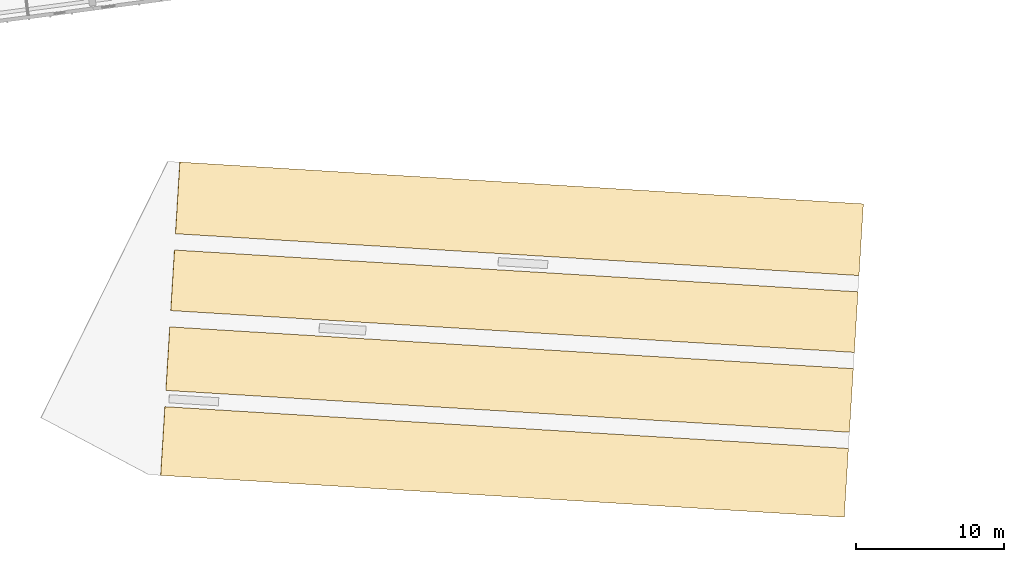
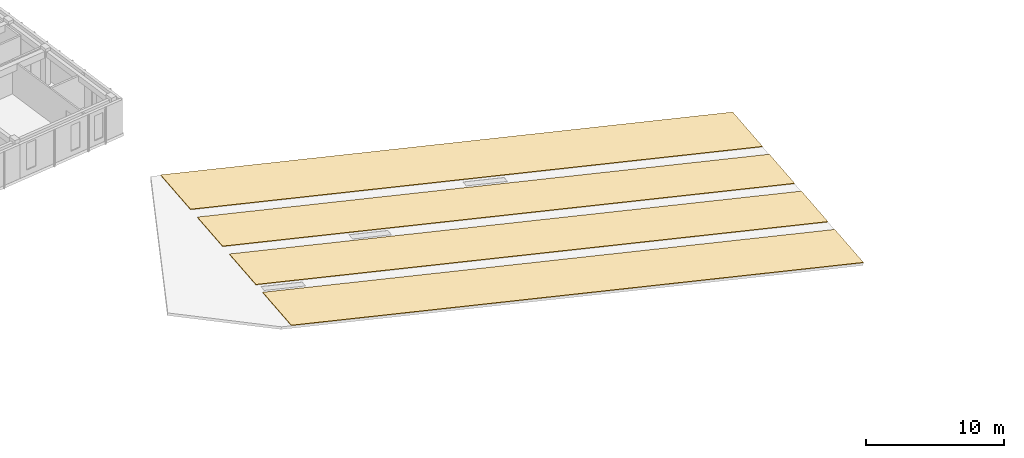
# One storey, part 28 of 34: 4 coverings.
"""IFC4 building model written with IfcOpenShell, lengths in metres."""

import ifcopenshell
import ifcopenshell.guid

model = None  # the IFC model being written
_history = None  # IfcOwnerHistory: only IFC2X3 demands one
_inside = {}  # id of a spatial element -> (the spatial element, [elements in it])
_under = {}  # id of a project, library or spatial element -> (it, [spatial elements below it])
_declared = {}  # id of a project -> (the project, [libraries it declares])
_typed = {}  # id of a type object -> (the type object, [elements of that type])
_made_of = {}  # id of a material, layer set ... -> (it, [elements and type objects made of it])


def new_model(schema):
    """Start an empty IFC model of exactly this schema.

    Asked for "IFC4X3", IfcOpenShell would pick the latest addendum, in which some entities
    have other attributes; the version numbers below select the first issue.
    IFC2X3 requires an IfcOwnerHistory on every rooted entity: one is made here for all.
    """
    global model, _history
    if schema == "IFC4X3":
        model = ifcopenshell.file(schema_version=(4, 3, 0, 0))
    else:
        model = ifcopenshell.file(schema=schema)
    _inside.clear()
    _under.clear()
    _declared.clear()
    _typed.clear()
    _made_of.clear()
    _history = None
    if model.schema == "IFC2X3":
        org = make("IfcOrganization", Name="unknown")
        user = make(
            "IfcPersonAndOrganization",
            ThePerson=make("IfcPerson", FamilyName="unknown"),
            TheOrganization=org,
        )
        app = make(
            "IfcApplication",
            ApplicationDeveloper=org,
            Version="unknown",
            ApplicationFullName="unknown",
            ApplicationIdentifier="unknown",
        )
        _history = make(
            "IfcOwnerHistory",
            OwningUser=user,
            OwningApplication=app,
            ChangeAction="ADDED",
            CreationDate=0,
        )
    return model


def make(cls, **values):
    """One entity of the class cls with the attributes given. An attribute that is None is left unset."""
    return model.create_entity(
        cls, **{name: value for name, value in values.items() if value is not None}
    )


def rooted(cls, **values):
    """An entity with a GlobalId (a new one), such as an element, a storey or a relation."""
    return make(cls, GlobalId=ifcopenshell.guid.new(), OwnerHistory=_history, **values)


def si_unit(unit_type, name, prefix=None):
    """IfcSIUnit, for example si_unit("LENGTHUNIT", "METRE", prefix="MILLI")."""
    return make("IfcSIUnit", UnitType=unit_type, Prefix=prefix, Name=name)


def assignment(units):
    """IfcUnitAssignment: the units of a project."""
    return None if units is None else make("IfcUnitAssignment", Units=units)


def point(xyz):
    """IfcCartesianPoint."""
    return None if xyz is None else make("IfcCartesianPoint", Coordinates=xyz)


def direction(xyz):
    """IfcDirection."""
    return None if xyz is None else make("IfcDirection", DirectionRatios=xyz)


def frame(location, z_axis=None, x_axis=None):
    """IfcAxis2Placement3D, a coordinate frame: its origin and axes. An axis left out is left unset."""
    return make(
        "IfcAxis2Placement3D",
        Location=point(location),
        Axis=direction(z_axis),
        RefDirection=direction(x_axis),
    )


def origin():
    """The frame at (0, 0, 0) with its axes left unset."""
    return frame((0.0, 0.0, 0.0))


def place(relative_to, where):
    """IfcLocalPlacement: puts the frame where relative to a parent placement (None: the world)."""
    return make(
        "IfcLocalPlacement", PlacementRelTo=relative_to, RelativePlacement=where
    )


def context(
    kind, dimensions, precision=None, world=None, true_north=None, identifier=None
):
    """IfcGeometricRepresentationContext, for example the 3D "Model" context."""
    return make(
        "IfcGeometricRepresentationContext",
        ContextIdentifier=identifier,
        ContextType=kind,
        CoordinateSpaceDimension=dimensions,
        Precision=precision,
        WorldCoordinateSystem=world,
        TrueNorth=true_north,
    )


def subcontext(parent, identifier, kind, view, scale=None):
    """IfcGeometricRepresentationSubContext, for example "Body" below "Model"."""
    return make(
        "IfcGeometricRepresentationSubContext",
        ContextIdentifier=identifier,
        ContextType=kind,
        ParentContext=parent,
        TargetScale=scale,
        TargetView=view,
    )


def project(units=None, contexts=None):
    """IfcProject with its units and contexts."""
    return rooted(
        "IfcProject",
        Name="project",
        RepresentationContexts=contexts,
        UnitsInContext=assignment(units),
    )


def spatial(cls, under=None, at=None, **own):
    """A site, building, storey or space (cls), placed at a placement, below another one or the project."""
    s = rooted(cls, ObjectPlacement=at, **own)
    if under is not None:
        _under.setdefault(under.id(), (under, []))[1].append(s)
    return s


def polyline(points):
    """IfcPolyline through the points."""
    return make("IfcPolyline", Points=[point(p) for p in points])


def outline(outer, holes=None, kind="AREA"):
    """IfcArbitraryClosedProfileDef: a profile drawn as a closed curve; with holes, ...WithVoids."""
    if holes is None:
        return make("IfcArbitraryClosedProfileDef", ProfileType=kind, OuterCurve=outer)
    return make(
        "IfcArbitraryProfileDefWithVoids",
        ProfileType=kind,
        OuterCurve=outer,
        InnerCurves=holes,
    )


def extrude(swept, where, along, depth):
    """IfcExtrudedAreaSolid: the profile swept, set in the frame where, extruded along a direction by depth."""
    return make(
        "IfcExtrudedAreaSolid",
        SweptArea=swept,
        Position=where,
        ExtrudedDirection=direction(along),
        Depth=depth,
    )


def shape(context_of_items, identifier, shape_type, items):
    """IfcShapeRepresentation: the items that make up one representation, for example the "Body"."""
    return make(
        "IfcShapeRepresentation",
        ContextOfItems=context_of_items,
        RepresentationIdentifier=identifier,
        RepresentationType=shape_type,
        Items=items,
    )


def material(Name=None, Category=None):
    """IfcMaterial."""
    return make("IfcMaterial", Name=Name, Category=Category)


def layer(
    of_material, thickness, ventilated=None, Name=None, Category=None, Priority=None
):
    """IfcMaterialLayer: one layer of a wall or slab, of a material (None: an air gap)."""
    return make(
        "IfcMaterialLayer",
        Material=of_material,
        LayerThickness=thickness,
        IsVentilated=ventilated,
        Name=Name,
        Category=Category,
        Priority=Priority,
    )


def layer_set(layers, Name=None):
    """IfcMaterialLayerSet."""
    return make("IfcMaterialLayerSet", MaterialLayers=layers, LayerSetName=Name)


def made_of(thing, what):
    """Note that an element or type object is made of a material, layer set ...; save() writes the relation."""
    if what is not None:
        _made_of.setdefault(what.id(), (what, []))[1].append(thing)
    return thing


def type_object(cls, material=None, **own):
    """A type object (cls), such as IfcWallType, which elements share."""
    return made_of(rooted(cls, **own), material)


def element(
    cls,
    number,
    at=None,
    inside=None,
    cuts=None,
    type_object=None,
    material=None,
    context=None,
    identifier="Body",
    shape_type=None,
    held_by="IfcProductDefinitionShape",
    body=None,
    shapes=None,
    **own,
):
    """One element of the class cls, such as IfcWall. Its Tag is "e" and its number.

    at: its placement. inside: the storey or other place that contains it. cuts: it is an
    opening in that element (IfcRelVoidsElement). A single representation is given by context,
    identifier, shape_type and body (its items); several are given by shapes. held_by: the class
    of the entity that holds the representations. save() writes the other relations.
    """
    e = rooted(cls, Tag="e%d" % number, ObjectPlacement=at, **own)
    if body is not None:
        shapes = [shape(context, identifier, shape_type, body)]
    if shapes is not None:
        e.Representation = make(held_by, Representations=shapes)
    if inside is not None:
        _inside.setdefault(inside.id(), (inside, []))[1].append(e)
    if cuts is not None:
        rooted(
            "IfcRelVoidsElement", RelatingBuildingElement=cuts, RelatedOpeningElement=e
        )
    if type_object is not None:
        _typed.setdefault(type_object.id(), (type_object, []))[1].append(e)
    return made_of(e, material)


def aggregate(whole, parts):
    """IfcRelAggregates: a whole, such as a stair, and the parts it consists of."""
    return rooted("IfcRelAggregates", RelatingObject=whole, RelatedObjects=parts)


def save(model, path):
    """Write the relations noted so far, then the file.

    IfcRelAggregates (storeys below a building ...), IfcRelContainedInSpatialStructure (elements
    in a storey), IfcRelDefinesByType, IfcRelAssociatesMaterial and IfcRelDeclares: one each for
    every whole, place, type object, material and project.
    """
    for whole, parts in _under.values():
        aggregate(whole, parts)
    for where, things in _inside.values():
        rooted(
            "IfcRelContainedInSpatialStructure",
            RelatedElements=things,
            RelatingStructure=where,
        )
    for kind, things in _typed.values():
        rooted("IfcRelDefinesByType", RelatedObjects=things, RelatingType=kind)
    for what, things in _made_of.values():
        rooted("IfcRelAssociatesMaterial", RelatedObjects=things, RelatingMaterial=what)
    for by, libraries in _declared.values():
        rooted("IfcRelDeclares", RelatingContext=by, RelatedDefinitions=libraries)
    model.write(path)


model = new_model("IFC4")

# Units and contexts
model_context = context("Model", 3, precision=1e-05, world=origin(), true_north=direction((0.0, 1.0)))
body_context = subcontext(model_context, "Body", "Model", "MODEL_VIEW")
ifc_project = project(units=[si_unit("LENGTHUNIT", "METRE"), si_unit("AREAUNIT", "SQUARE_METRE"), si_unit("VOLUMEUNIT", "CUBIC_METRE"), si_unit("PLANEANGLEUNIT", "RADIAN"), si_unit("MASSUNIT", "GRAM", prefix="KILO")], contexts=[model_context])

# Site, building, storey
site_placement = place(None, origin())
site = spatial("IfcSite", under=ifc_project, at=site_placement, CompositionType="ELEMENT")
building_placement = place(site_placement, origin())
building = spatial("IfcBuilding", under=site, at=building_placement, Name="Kestramere Prow Commons", CompositionType="ELEMENT")
storey_placement = place(building_placement, frame((0.0, 0.0, 34.39990234375)))
storey = spatial("IfcBuildingStorey", under=building, at=storey_placement, Name="L10", CompositionType="ELEMENT", Elevation=34.39990234375)

# Coverings
ifc_material = material(Name="Fluoropolymer Standing-Seam Zinc-Aluminium Roofing", Category="aluminium")
ifc_layer = layer(ifc_material, 0.044921875)
ifc_layer_set = layer_set([ifc_layer], Name="Fluoropolymer Standing-Seam Zinc-Aluminium Roofing")
covering_type = type_object("IfcCoveringType", Name="COV-ROOF-SEAM", PredefinedType="ROOFING", material=ifc_layer_set)
covering_1_placement = place(storey_placement, frame((59.451171875, 45.701416015625, 4.494384765625), z_axis=(0.18859640491, -0.011532445464, 0.981986964657), x_axis=(0.980155378825, -0.059948578995, -0.188948673552)))
element("IfcCovering", 1, at=covering_1_placement, inside=storey, type_object=covering_type, Name="Block C Standing-Seam Prow Roofing Strip 1", PredefinedType="ROOFING", context=body_context, shape_type="SweptSolid", body=[
    extrude(outline(polyline([(0.0, 0.0), (47.09846521767298, -1.2599106870639365e-16), (47.09828409338803, 4.650019300845774), (5.817146183156874e-05, 4.650034205084886), (0.0, 0.0)])), origin(), (0.0, 0.0, -1.0), 0.044921875),
])
covering_2_placement = place(storey_placement, frame((59.80224609375, 51.440673828125, 4.494384765625), z_axis=(0.188596075481, -0.01153783158, 0.981986964657), x_axis=(0.980155359506, -0.059948894857, -0.188948673552)))
element("IfcCovering", 2, at=covering_2_placement, inside=storey, type_object=covering_type, Name="Block C Standing-Seam Prow Roofing Strip 2", PredefinedType="ROOFING", context=body_context, shape_type="SweptSolid", body=[
    extrude(outline(polyline([(0.0, 0.0), (47.09822592192857, -2.31639794151528e-16), (47.09840795201671, 4.300023922155032), (-5.726565392438765e-05, 4.3000090175917345), (0.0, 0.0)])), origin(), (0.0, 0.0, -1.0), 0.044921875),
])
covering_3_placement = place(storey_placement, frame((60.1318359375, 56.830810546875, 4.494384765625), z_axis=(0.18859590124, -0.011532336989, 0.981987062664), x_axis=(0.980155160778, -0.059953749277, -0.188948164183)))
element("IfcCovering", 3, at=covering_3_placement, inside=storey, type_object=covering_type, Name="Block C Standing-Seam Prow Roofing Strip 3", PredefinedType="ROOFING", context=body_context, shape_type="SweptSolid", body=[
    extrude(outline(polyline([(0.0, 0.0), (47.09847985419401, -4.623309114021312e-16), (47.0983954647076, 4.1001729437395396), (-6.975234059011792e-05, 4.09992925854994), (0.0, 0.0)])), origin(), (0.0, 0.0, -1.0), 0.044921875),
])
covering_4_placement = place(storey_placement, frame((60.44921875, 62.02099609375, 4.494384765625), z_axis=(0.188595647459, -0.011536967087, 0.981987057018), x_axis=(0.980155471012, -0.059948584632, -0.18894819355)))
element("IfcCovering", 4, at=covering_4_placement, inside=storey, type_object=covering_type, Name="Block C Standing-Seam Prow Roofing Strip 4", PredefinedType="ROOFING", context=body_context, shape_type="SweptSolid", body=[
    extrude(outline(polyline([(0.0, 0.0), (47.098465217678616, 4.439299676559788e-16), (47.09851602375176, 4.85011396395051), (5.080607315105512e-05, 4.850113963950509), (0.0, 0.0)])), origin(), (0.0, 0.0, -1.0), 0.044921875),
])

save(model, "model.ifc")
